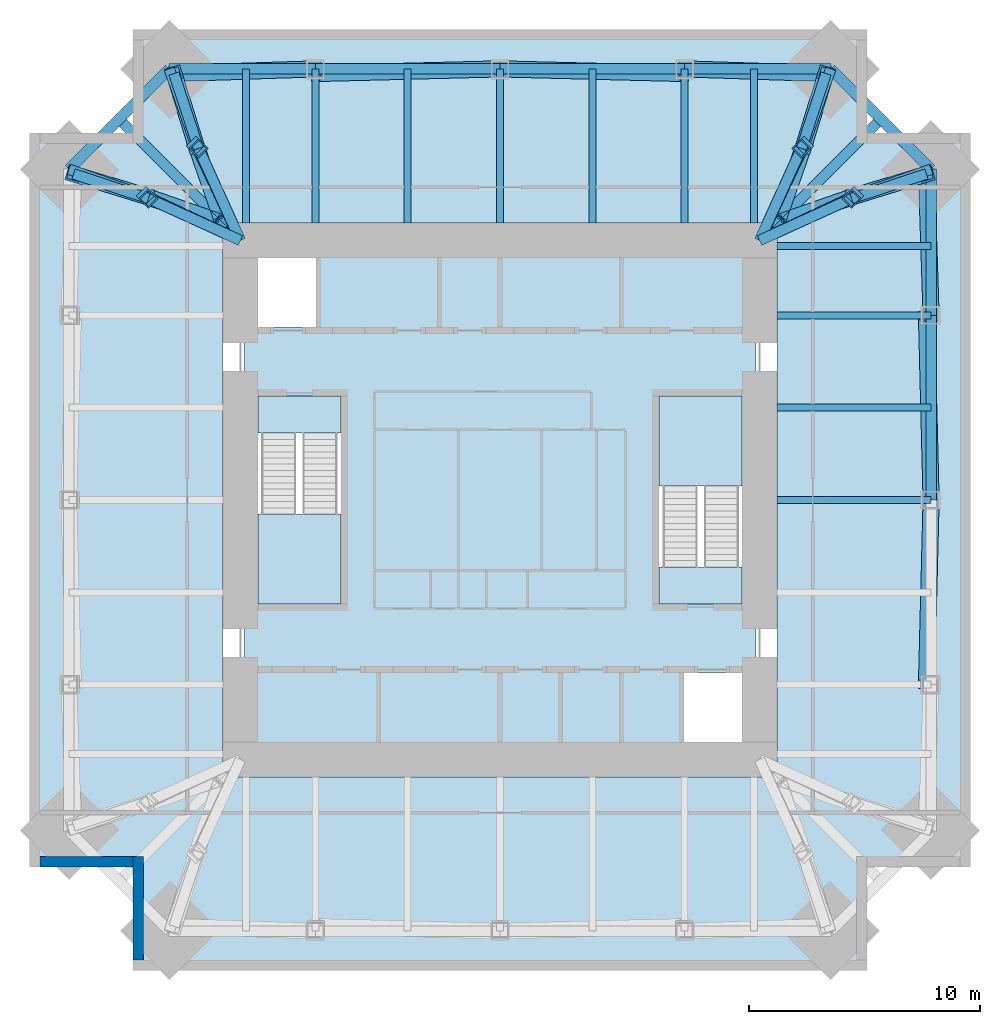
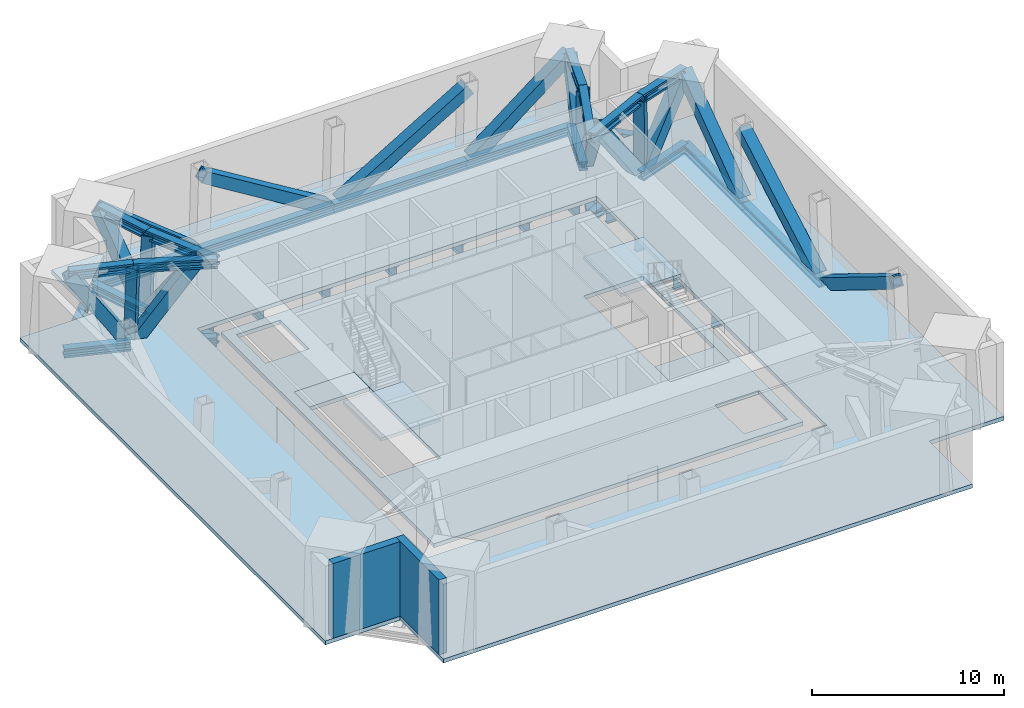
# One storey, part 2 of 6: 41 members, 15 beams, 6 slabs, 2 walls, 2 elements without a shape of their own.
"""IFC4 building model written with IfcOpenShell, lengths in metres."""

import ifcopenshell
import ifcopenshell.guid

model = None  # the IFC model being written
_history = None  # IfcOwnerHistory: only IFC2X3 demands one
_inside = {}  # id of a spatial element -> (the spatial element, [elements in it])
_under = {}  # id of a project, library or spatial element -> (it, [spatial elements below it])
_declared = {}  # id of a project -> (the project, [libraries it declares])
_typed = {}  # id of a type object -> (the type object, [elements of that type])
_made_of = {}  # id of a material, layer set ... -> (it, [elements and type objects made of it])


def new_model(schema):
    """Start an empty IFC model of exactly this schema.

    Asked for "IFC4X3", IfcOpenShell would pick the latest addendum, in which some entities
    have other attributes; the version numbers below select the first issue.
    IFC2X3 requires an IfcOwnerHistory on every rooted entity: one is made here for all.
    """
    global model, _history
    if schema == "IFC4X3":
        model = ifcopenshell.file(schema_version=(4, 3, 0, 0))
    else:
        model = ifcopenshell.file(schema=schema)
    _inside.clear()
    _under.clear()
    _declared.clear()
    _typed.clear()
    _made_of.clear()
    _history = None
    if model.schema == "IFC2X3":
        org = make("IfcOrganization", Name="unknown")
        user = make(
            "IfcPersonAndOrganization",
            ThePerson=make("IfcPerson", FamilyName="unknown"),
            TheOrganization=org,
        )
        app = make(
            "IfcApplication",
            ApplicationDeveloper=org,
            Version="unknown",
            ApplicationFullName="unknown",
            ApplicationIdentifier="unknown",
        )
        _history = make(
            "IfcOwnerHistory",
            OwningUser=user,
            OwningApplication=app,
            ChangeAction="ADDED",
            CreationDate=0,
        )
    return model


def make(cls, **values):
    """One entity of the class cls with the attributes given. An attribute that is None is left unset."""
    return model.create_entity(
        cls, **{name: value for name, value in values.items() if value is not None}
    )


def rooted(cls, **values):
    """An entity with a GlobalId (a new one), such as an element, a storey or a relation."""
    return make(cls, GlobalId=ifcopenshell.guid.new(), OwnerHistory=_history, **values)


def si_unit(unit_type, name, prefix=None):
    """IfcSIUnit, for example si_unit("LENGTHUNIT", "METRE", prefix="MILLI")."""
    return make("IfcSIUnit", UnitType=unit_type, Prefix=prefix, Name=name)


def assignment(units):
    """IfcUnitAssignment: the units of a project."""
    return None if units is None else make("IfcUnitAssignment", Units=units)


def point(xyz):
    """IfcCartesianPoint."""
    return None if xyz is None else make("IfcCartesianPoint", Coordinates=xyz)


def direction(xyz):
    """IfcDirection."""
    return None if xyz is None else make("IfcDirection", DirectionRatios=xyz)


def frame(location, z_axis=None, x_axis=None):
    """IfcAxis2Placement3D, a coordinate frame: its origin and axes. An axis left out is left unset."""
    return make(
        "IfcAxis2Placement3D",
        Location=point(location),
        Axis=direction(z_axis),
        RefDirection=direction(x_axis),
    )


def frame_2d(location, x_axis=None):
    """IfcAxis2Placement2D, a coordinate frame in the plane: its origin and x axis."""
    return make(
        "IfcAxis2Placement2D", Location=point(location), RefDirection=direction(x_axis)
    )


def origin():
    """The frame at (0, 0, 0) with its axes left unset."""
    return frame((0.0, 0.0, 0.0))


def origin_2d():
    """The frame at (0, 0) in the plane with its x axis left unset."""
    return frame_2d((0.0, 0.0))


def place(relative_to, where):
    """IfcLocalPlacement: puts the frame where relative to a parent placement (None: the world)."""
    return make(
        "IfcLocalPlacement", PlacementRelTo=relative_to, RelativePlacement=where
    )


def context(
    kind, dimensions, precision=None, world=None, true_north=None, identifier=None
):
    """IfcGeometricRepresentationContext, for example the 3D "Model" context."""
    return make(
        "IfcGeometricRepresentationContext",
        ContextIdentifier=identifier,
        ContextType=kind,
        CoordinateSpaceDimension=dimensions,
        Precision=precision,
        WorldCoordinateSystem=world,
        TrueNorth=true_north,
    )


def subcontext(parent, identifier, kind, view, scale=None):
    """IfcGeometricRepresentationSubContext, for example "Body" below "Model"."""
    return make(
        "IfcGeometricRepresentationSubContext",
        ContextIdentifier=identifier,
        ContextType=kind,
        ParentContext=parent,
        TargetScale=scale,
        TargetView=view,
    )


def project(units=None, contexts=None):
    """IfcProject with its units and contexts."""
    return rooted(
        "IfcProject",
        Name="project",
        RepresentationContexts=contexts,
        UnitsInContext=assignment(units),
    )


def spatial(cls, under=None, at=None, **own):
    """A site, building, storey or space (cls), placed at a placement, below another one or the project."""
    s = rooted(cls, ObjectPlacement=at, **own)
    if under is not None:
        _under.setdefault(under.id(), (under, []))[1].append(s)
    return s


def polyline(points):
    """IfcPolyline through the points."""
    return make("IfcPolyline", Points=[point(p) for p in points])


def profile(cls, at=None, kind="AREA", **sizes):
    """A parametric profile (cls). Its sizes go by their IFC names, for example OverallWidth=200.0."""
    return make(cls, ProfileType=kind, Position=at, **sizes)


def rectangle(**sizes):
    """IfcRectangleProfileDef."""
    return profile("IfcRectangleProfileDef", **sizes)


def hollow_rectangle(**sizes):
    """IfcRectangleHollowProfileDef."""
    return profile("IfcRectangleHollowProfileDef", **sizes)


def i_section(**sizes):
    """IfcIShapeProfileDef."""
    return profile("IfcIShapeProfileDef", **sizes)


def outline(outer, holes=None, kind="AREA"):
    """IfcArbitraryClosedProfileDef: a profile drawn as a closed curve; with holes, ...WithVoids."""
    if holes is None:
        return make("IfcArbitraryClosedProfileDef", ProfileType=kind, OuterCurve=outer)
    return make(
        "IfcArbitraryProfileDefWithVoids",
        ProfileType=kind,
        OuterCurve=outer,
        InnerCurves=holes,
    )


def extrude(swept, where, along, depth):
    """IfcExtrudedAreaSolid: the profile swept, set in the frame where, extruded along a direction by depth."""
    return make(
        "IfcExtrudedAreaSolid",
        SweptArea=swept,
        Position=where,
        ExtrudedDirection=direction(along),
        Depth=depth,
    )


def shape(context_of_items, identifier, shape_type, items):
    """IfcShapeRepresentation: the items that make up one representation, for example the "Body"."""
    return make(
        "IfcShapeRepresentation",
        ContextOfItems=context_of_items,
        RepresentationIdentifier=identifier,
        RepresentationType=shape_type,
        Items=items,
    )


def material(Name=None, Category=None):
    """IfcMaterial."""
    return make("IfcMaterial", Name=Name, Category=Category)


def layer(
    of_material, thickness, ventilated=None, Name=None, Category=None, Priority=None
):
    """IfcMaterialLayer: one layer of a wall or slab, of a material (None: an air gap)."""
    return make(
        "IfcMaterialLayer",
        Material=of_material,
        LayerThickness=thickness,
        IsVentilated=ventilated,
        Name=Name,
        Category=Category,
        Priority=Priority,
    )


def layer_set(layers, Name=None):
    """IfcMaterialLayerSet."""
    return make("IfcMaterialLayerSet", MaterialLayers=layers, LayerSetName=Name)


def material_profile(
    of_material, cross_section, Name=None, Category=None, Priority=None
):
    """IfcMaterialProfile: a cross section and its material."""
    return make(
        "IfcMaterialProfile",
        Name=Name,
        Material=of_material,
        Profile=cross_section,
        Priority=Priority,
        Category=Category,
    )


def profile_set(profiles, Name=None, composite=None):
    """IfcMaterialProfileSet."""
    return make(
        "IfcMaterialProfileSet",
        Name=Name,
        MaterialProfiles=profiles,
        CompositeProfile=composite,
    )


def made_of(thing, what):
    """Note that an element or type object is made of a material, layer set ...; save() writes the relation."""
    if what is not None:
        _made_of.setdefault(what.id(), (what, []))[1].append(thing)
    return thing


def type_object(cls, material=None, **own):
    """A type object (cls), such as IfcWallType, which elements share."""
    return made_of(rooted(cls, **own), material)


def element(
    cls,
    number,
    at=None,
    inside=None,
    cuts=None,
    type_object=None,
    material=None,
    context=None,
    identifier="Body",
    shape_type=None,
    held_by="IfcProductDefinitionShape",
    body=None,
    shapes=None,
    **own,
):
    """One element of the class cls, such as IfcWall. Its Tag is "e" and its number.

    at: its placement. inside: the storey or other place that contains it. cuts: it is an
    opening in that element (IfcRelVoidsElement). A single representation is given by context,
    identifier, shape_type and body (its items); several are given by shapes. held_by: the class
    of the entity that holds the representations. save() writes the other relations.
    """
    e = rooted(cls, Tag="e%d" % number, ObjectPlacement=at, **own)
    if body is not None:
        shapes = [shape(context, identifier, shape_type, body)]
    if shapes is not None:
        e.Representation = make(held_by, Representations=shapes)
    if inside is not None:
        _inside.setdefault(inside.id(), (inside, []))[1].append(e)
    if cuts is not None:
        rooted(
            "IfcRelVoidsElement", RelatingBuildingElement=cuts, RelatedOpeningElement=e
        )
    if type_object is not None:
        _typed.setdefault(type_object.id(), (type_object, []))[1].append(e)
    return made_of(e, material)


def aggregate(whole, parts):
    """IfcRelAggregates: a whole, such as a stair, and the parts it consists of."""
    return rooted("IfcRelAggregates", RelatingObject=whole, RelatedObjects=parts)


def save(model, path):
    """Write the relations noted so far, then the file.

    IfcRelAggregates (storeys below a building ...), IfcRelContainedInSpatialStructure (elements
    in a storey), IfcRelDefinesByType, IfcRelAssociatesMaterial and IfcRelDeclares: one each for
    every whole, place, type object, material and project.
    """
    for whole, parts in _under.values():
        aggregate(whole, parts)
    for where, things in _inside.values():
        rooted(
            "IfcRelContainedInSpatialStructure",
            RelatedElements=things,
            RelatingStructure=where,
        )
    for kind, things in _typed.values():
        rooted("IfcRelDefinesByType", RelatedObjects=things, RelatingType=kind)
    for what, things in _made_of.values():
        rooted("IfcRelAssociatesMaterial", RelatedObjects=things, RelatingMaterial=what)
    for by, libraries in _declared.values():
        rooted("IfcRelDeclares", RelatingContext=by, RelatedDefinitions=libraries)
    model.write(path)


model = new_model("IFC4")

# Units and contexts
model_context = context("Model", 3, precision=1e-05, world=origin(), true_north=direction((0.0, 1.0)))
body_context = subcontext(model_context, "Body", "Model", "MODEL_VIEW")
ifc_project = project(units=[si_unit("LENGTHUNIT", "METRE"), si_unit("AREAUNIT", "SQUARE_METRE"), si_unit("VOLUMEUNIT", "CUBIC_METRE"), si_unit("PLANEANGLEUNIT", "RADIAN"), si_unit("MASSUNIT", "GRAM", prefix="KILO")], contexts=[model_context])

# Site, building, storey
site_placement = place(None, origin())
site = spatial("IfcSite", under=ifc_project, at=site_placement, CompositionType="ELEMENT")
building_placement = place(site_placement, origin())
building = spatial("IfcBuilding", under=site, at=building_placement, Name="Peilmerk Tower", CompositionType="ELEMENT")
storey_placement = place(building_placement, frame((0.0, 0.0, 302.800048828125)))
storey = spatial("IfcBuildingStorey", under=building, at=storey_placement, Name="L68", CompositionType="ELEMENT", Elevation=302.800048828125)

# Beams
ifc_material_1 = material(Name="Steel S460", Category="steel")
ifc_material_profile_1 = material_profile(ifc_material_1, i_section(OverallWidth=0.4541015625, OverallDepth=0.569091796875, WebThickness=0.077880859375, FlangeThickness=0.125, at=origin_2d()), Name="HD 400x1086")
ifc_profile_set_1 = profile_set([ifc_material_profile_1], Name="Steel S460")
beam_type_1 = type_object("IfcBeamType", Name="B17 HD 400x1086 edge beam", PredefinedType="SPANDREL", material=ifc_profile_set_1)
for number, where, z_axis, x_axis, name in (
    (1, (14.337158203125, 18.68701171875, -0.53466796875), (0.707106781187, -0.707106781187, 0.0), (0.707106781187, 0.707106781187, 0.0), "Notch beam L68"),
    (2, (-18.68701171875, 14.337158203125, -0.53466796875), (0.707106781187, 0.707106781187, 0.0), (-0.707106781187, 0.707106781187, 0.0), "Notch beam L68"),
):
    element("IfcBeam", number, at=place(storey_placement, frame(where, z_axis=z_axis, x_axis=x_axis)), inside=storey, type_object=beam_type_1, Name=name, PredefinedType="SPANDREL", context=body_context, shape_type="SweptSolid", body=[
        extrude(i_section(OverallWidth=0.4541015625, OverallDepth=0.569091796875, WebThickness=0.077880859375, FlangeThickness=0.125, at=origin_2d()), origin(), (0.0, 0.0, 1.0), 6.151611328125),
    ])
ifc_material_profile_2 = material_profile(ifc_material_1, i_section(OverallWidth=0.302978515625, OverallDepth=0.81396484375, WebThickness=0.02099609375, FlangeThickness=0.0400390625, at=origin_2d()), Name="HEM 800")
ifc_profile_set_2 = profile_set([ifc_material_profile_2], Name="Steel S460")
beam_type_2 = type_object("IfcBeamType", Name="B26 HEM 800 floor beam", PredefinedType="BEAM", material=ifc_profile_set_2)
for number, where, z_axis, x_axis, name in (
    (3, (11.0, 12.0, -0.656982421875), (0.0, 1.0, 0.0), (-1.0, 0.0, 0.0), "Floor beam L68"),
    (4, (8.0, 12.0, -0.656982421875), (0.0, 1.0, 0.0), (-1.0, 0.0, 0.0), "Floor beam L68"),
    (5, (4.0, 12.0, -0.656982421875), (0.0, 1.0, 0.0), (-1.0, 0.0, 0.0), "Floor beam L68"),
    (6, (0.0, 12.0, -0.656982421875), (0.0, 1.0, 0.0), (-1.0, 0.0, 0.0), "Floor beam L68"),
    (7, (-4.0, 12.0, -0.656982421875), (0.0, 1.0, 0.0), (-1.0, 0.0, 0.0), "Floor beam L68"),
    (8, (-8.0, 12.0, -0.656982421875), (0.0, 1.0, 0.0), (-1.0, 0.0, 0.0), "Floor beam L68"),
    (9, (-11.0, 12.0, -0.656982421875), (0.0, 1.0, 0.0), (-1.0, 0.0, 0.0), "Floor beam L68"),
    (10, (12.0, 0.0, -0.656982421875), (1.0, 0.0, 0.0), (0.0, 1.0, 0.0), "Floor beam L68"),
    (11, (12.0, 4.0, -0.656982421875), (1.0, 0.0, 0.0), (0.0, 1.0, 0.0), "Floor beam L68"),
    (12, (12.0, 8.0, -0.656982421875), (1.0, 0.0, 0.0), (0.0, 1.0, 0.0), "Floor beam L68"),
    (13, (12.0, 11.0, -0.656982421875), (1.0, 0.0, 0.0), (0.0, 1.0, 0.0), "Floor beam L68"),
):
    element("IfcBeam", number, at=place(storey_placement, frame(where, z_axis=z_axis, x_axis=x_axis)), inside=storey, type_object=beam_type_2, Name=name, PredefinedType="BEAM", context=body_context, shape_type="SweptSolid", body=[
        extrude(i_section(OverallWidth=0.302978515625, OverallDepth=0.81396484375, WebThickness=0.02099609375, FlangeThickness=0.0400390625, at=origin_2d()), origin(), (0.0, 0.0, 1.0), 6.68701171875),
    ])
ifc_material_profile_3 = material_profile(ifc_material_1, i_section(OverallWidth=0.4541015625, OverallDepth=0.569091796875, WebThickness=0.077880859375, FlangeThickness=0.125, at=origin_2d()), Name="HD 400x1086")
ifc_profile_set_3 = profile_set([ifc_material_profile_3], Name="Steel S460")
beam_type_3 = type_object("IfcBeamType", Name="B9 HD 400x1086 corner girder", PredefinedType="BEAM", material=ifc_profile_set_3)
for number, where, z_axis, x_axis, name in (
    (14, (11.25, 11.25, -0.53466796875), (0.707106781187, 0.707106781187, 0.0), (-0.707106781187, 0.707106781187, 0.0), "Corner girder L68"),
    (15, (-11.25, 11.25, -0.53466796875), (-0.707106781187, 0.707106781187, 0.0), (-0.707106781187, -0.707106781187, 0.0), "Corner girder L68"),
):
    element("IfcBeam", number, at=place(storey_placement, frame(where, z_axis=z_axis, x_axis=x_axis)), inside=storey, type_object=beam_type_3, Name=name, PredefinedType="BEAM", context=body_context, shape_type="SweptSolid", body=[
        extrude(i_section(OverallWidth=0.4541015625, OverallDepth=0.569091796875, WebThickness=0.077880859375, FlangeThickness=0.125, at=origin_2d()), origin(), (0.0, 0.0, 1.0), 7.44189453125),
    ])

# Members
ifc_material_profile_4 = material_profile(ifc_material_1, i_section(OverallWidth=0.4541015625, OverallDepth=0.569091796875, WebThickness=0.077880859375, FlangeThickness=0.125, at=origin_2d()), Name="HD 400x1086")
ifc_profile_set_4 = profile_set([ifc_material_profile_4], Name="Steel S460")
member_type_1 = type_object("IfcMemberType", Name="M1 HD 400x1086 belt truss chord", PredefinedType="CHORD", material=ifc_profile_set_4)
member_1_placement = place(storey_placement, frame((14.337158203125, 18.68701171875, -0.53466796875), z_axis=(-1.0, 0.0, 0.0), x_axis=(0.0, -1.0, 0.0)))
element("IfcMember", 16, at=member_1_placement, inside=storey, type_object=member_type_1, Name="Belt truss chord L68", PredefinedType="CHORD", context=body_context, shape_type="SweptSolid", body=[
    extrude(i_section(OverallWidth=0.4541015625, OverallDepth=0.569091796875, WebThickness=0.077880859375, FlangeThickness=0.125, at=origin_2d()), origin(), (0.0, 0.0, 1.0), 6.337158203125),
])
for number, where, z_axis, x_axis, name in (
    (17, (8.0, 18.68701171875, -0.53466796875), (-1.0, 0.0, 0.0), (0.0, -1.0, 0.0), "Belt truss chord L68"),
    (18, (0.0, 18.68701171875, -0.53466796875), (-1.0, 0.0, 0.0), (0.0, -1.0, 0.0), "Belt truss chord L68"),
):
    element("IfcMember", number, at=place(storey_placement, frame(where, z_axis=z_axis, x_axis=x_axis)), inside=storey, type_object=member_type_1, Name=name, PredefinedType="CHORD", context=body_context, shape_type="SweptSolid", body=[
        extrude(i_section(OverallWidth=0.4541015625, OverallDepth=0.569091796875, WebThickness=0.077880859375, FlangeThickness=0.125, at=origin_2d()), origin(), (0.0, 0.0, 1.0), 8.0),
    ])
member_2_placement = place(storey_placement, frame((-8.0, 18.68701171875, -0.53466796875), z_axis=(-1.0, 0.0, 0.0), x_axis=(0.0, -1.0, 0.0)))
element("IfcMember", 19, at=member_2_placement, inside=storey, type_object=member_type_1, Name="Belt truss chord L68", PredefinedType="CHORD", context=body_context, shape_type="SweptSolid", body=[
    extrude(i_section(OverallWidth=0.4541015625, OverallDepth=0.569091796875, WebThickness=0.077880859375, FlangeThickness=0.125, at=origin_2d()), origin(), (0.0, 0.0, 1.0), 6.337158203125),
])
member_3_placement = place(storey_placement, frame((18.68701171875, 0.0, -0.53466796875), z_axis=(0.0, 1.0, 0.0), x_axis=(-1.0, 0.0, 0.0)))
element("IfcMember", 20, at=member_3_placement, inside=storey, type_object=member_type_1, Name="Belt truss chord L68", PredefinedType="CHORD", context=body_context, shape_type="SweptSolid", body=[
    extrude(i_section(OverallWidth=0.4541015625, OverallDepth=0.569091796875, WebThickness=0.077880859375, FlangeThickness=0.125, at=origin_2d()), origin(), (0.0, 0.0, 1.0), 8.0),
])
member_4_placement = place(storey_placement, frame((18.68701171875, 8.0, -0.53466796875), z_axis=(0.0, 1.0, 0.0), x_axis=(-1.0, 0.0, 0.0)))
element("IfcMember", 21, at=member_4_placement, inside=storey, type_object=member_type_1, Name="Belt truss chord L68", PredefinedType="CHORD", context=body_context, shape_type="SweptSolid", body=[
    extrude(i_section(OverallWidth=0.4541015625, OverallDepth=0.569091796875, WebThickness=0.077880859375, FlangeThickness=0.125, at=origin_2d()), origin(), (0.0, 0.0, 1.0), 6.337158203125),
])
member_5_placement = place(storey_placement, frame((11.25, 11.25, -0.53466796875), z_axis=(0.905490713395, 0.424366077763, 0.0), x_axis=(-0.424366077763, 0.905490713395, 0.0)))
element("IfcMember", 22, at=member_5_placement, inside=storey, type_object=member_type_1, Name="Outrigger chord T3 NE", PredefinedType="CHORD", context=body_context, shape_type="SweptSolid", body=[
    extrude(i_section(OverallWidth=0.4541015625, OverallDepth=0.569091796875, WebThickness=0.077880859375, FlangeThickness=0.125, at=origin_2d()), origin(), (0.0, 0.0, 1.0), 4.520751953125),
])
member_6_placement = place(storey_placement, frame((15.343505859375, 13.16845703125, -0.53466796875), z_axis=(0.943992606868, 0.329966601612, 0.0), x_axis=(-0.329966601612, 0.943992606868, 0.0)))
element("IfcMember", 23, at=member_6_placement, inside=storey, type_object=member_type_1, Name="Outrigger chord T3 NE", PredefinedType="CHORD", context=body_context, shape_type="SweptSolid", body=[
    extrude(i_section(OverallWidth=0.4541015625, OverallDepth=0.569091796875, WebThickness=0.077880859375, FlangeThickness=0.125, at=origin_2d()), origin(), (0.0, 0.0, 1.0), 3.5419921875),
])
member_7_placement = place(storey_placement, frame((11.25, 11.25, 4.46533203125), z_axis=(0.910128091523, 0.41432699287, 0.0), x_axis=(-0.41432699287, 0.910128091523, 0.0)))
element("IfcMember", 24, at=member_7_placement, inside=storey, type_object=member_type_1, Name="Outrigger chord T3 NE", PredefinedType="CHORD", context=body_context, shape_type="SweptSolid", body=[
    extrude(i_section(OverallWidth=0.4541015625, OverallDepth=0.569091796875, WebThickness=0.077880859375, FlangeThickness=0.125, at=origin_2d()), origin(), (0.0, 0.0, 1.0), 4.386962890625),
])
member_8_placement = place(storey_placement, frame((15.24267578125, 13.067626953125, 4.46533203125), z_axis=(0.949828274729, 0.31277187937, 0.0), x_axis=(-0.31277187937, 0.949828274729, 0.0)))
element("IfcMember", 25, at=member_8_placement, inside=storey, type_object=member_type_1, Name="Outrigger chord T3 NE", PredefinedType="CHORD", context=body_context, shape_type="SweptSolid", body=[
    extrude(i_section(OverallWidth=0.4541015625, OverallDepth=0.569091796875, WebThickness=0.077880859375, FlangeThickness=0.125, at=origin_2d()), origin(), (0.0, 0.0, 1.0), 3.414306640625),
])
member_9_placement = place(storey_placement, frame((11.25, 11.25, -0.53466796875), z_axis=(0.424366077763, 0.905490713395, 0.0), x_axis=(-0.905490713395, 0.424366077763, 0.0)))
element("IfcMember", 26, at=member_9_placement, inside=storey, type_object=member_type_1, Name="Outrigger chord T3 NE", PredefinedType="CHORD", context=body_context, shape_type="SweptSolid", body=[
    extrude(i_section(OverallWidth=0.4541015625, OverallDepth=0.569091796875, WebThickness=0.077880859375, FlangeThickness=0.125, at=origin_2d()), origin(), (0.0, 0.0, 1.0), 4.520751953125),
])
member_10_placement = place(storey_placement, frame((13.16845703125, 15.343505859375, -0.53466796875), z_axis=(0.329966601612, 0.943992606868, 0.0), x_axis=(-0.943992606868, 0.329966601612, 0.0)))
element("IfcMember", 27, at=member_10_placement, inside=storey, type_object=member_type_1, Name="Outrigger chord T3 NE", PredefinedType="CHORD", context=body_context, shape_type="SweptSolid", body=[
    extrude(i_section(OverallWidth=0.4541015625, OverallDepth=0.569091796875, WebThickness=0.077880859375, FlangeThickness=0.125, at=origin_2d()), origin(), (0.0, 0.0, 1.0), 3.5419921875),
])
member_11_placement = place(storey_placement, frame((11.25, 11.25, 4.46533203125), z_axis=(0.41432699287, 0.910128091523, 0.0), x_axis=(-0.910128091523, 0.41432699287, 0.0)))
element("IfcMember", 28, at=member_11_placement, inside=storey, type_object=member_type_1, Name="Outrigger chord T3 NE", PredefinedType="CHORD", context=body_context, shape_type="SweptSolid", body=[
    extrude(i_section(OverallWidth=0.4541015625, OverallDepth=0.569091796875, WebThickness=0.077880859375, FlangeThickness=0.125, at=origin_2d()), origin(), (0.0, 0.0, 1.0), 4.386962890625),
])
member_12_placement = place(storey_placement, frame((13.067626953125, 15.24267578125, 4.46533203125), z_axis=(0.31277187937, 0.949828274729, 0.0), x_axis=(-0.949828274729, 0.31277187937, 0.0)))
element("IfcMember", 29, at=member_12_placement, inside=storey, type_object=member_type_1, Name="Outrigger chord T3 NE", PredefinedType="CHORD", context=body_context, shape_type="SweptSolid", body=[
    extrude(i_section(OverallWidth=0.4541015625, OverallDepth=0.569091796875, WebThickness=0.077880859375, FlangeThickness=0.125, at=origin_2d()), origin(), (0.0, 0.0, 1.0), 3.414306640625),
])
member_13_placement = place(storey_placement, frame((-11.25, 11.25, -0.53466796875), z_axis=(-0.424366077763, 0.905490713395, 0.0), x_axis=(-0.905490713395, -0.424366077763, 0.0)))
element("IfcMember", 30, at=member_13_placement, inside=storey, type_object=member_type_1, Name="Outrigger chord T3 NW", PredefinedType="CHORD", context=body_context, shape_type="SweptSolid", body=[
    extrude(i_section(OverallWidth=0.4541015625, OverallDepth=0.569091796875, WebThickness=0.077880859375, FlangeThickness=0.125, at=origin_2d()), origin(), (0.0, 0.0, 1.0), 4.520751953125),
])
member_14_placement = place(storey_placement, frame((-13.16845703125, 15.343505859375, -0.53466796875), z_axis=(-0.329966601612, 0.943992606868, 0.0), x_axis=(-0.943992606868, -0.329966601612, 0.0)))
element("IfcMember", 31, at=member_14_placement, inside=storey, type_object=member_type_1, Name="Outrigger chord T3 NW", PredefinedType="CHORD", context=body_context, shape_type="SweptSolid", body=[
    extrude(i_section(OverallWidth=0.4541015625, OverallDepth=0.569091796875, WebThickness=0.077880859375, FlangeThickness=0.125, at=origin_2d()), origin(), (0.0, 0.0, 1.0), 3.5419921875),
])
member_15_placement = place(storey_placement, frame((-11.25, 11.25, 4.46533203125), z_axis=(-0.41432699287, 0.910128091523, 0.0), x_axis=(-0.910128091523, -0.41432699287, 0.0)))
element("IfcMember", 32, at=member_15_placement, inside=storey, type_object=member_type_1, Name="Outrigger chord T3 NW", PredefinedType="CHORD", context=body_context, shape_type="SweptSolid", body=[
    extrude(i_section(OverallWidth=0.4541015625, OverallDepth=0.569091796875, WebThickness=0.077880859375, FlangeThickness=0.125, at=origin_2d()), origin(), (0.0, 0.0, 1.0), 4.386962890625),
])
member_16_placement = place(storey_placement, frame((-13.067626953125, 15.24267578125, 4.46533203125), z_axis=(-0.31277187937, 0.949828274729, 0.0), x_axis=(-0.949828274729, -0.31277187937, 0.0)))
element("IfcMember", 33, at=member_16_placement, inside=storey, type_object=member_type_1, Name="Outrigger chord T3 NW", PredefinedType="CHORD", context=body_context, shape_type="SweptSolid", body=[
    extrude(i_section(OverallWidth=0.4541015625, OverallDepth=0.569091796875, WebThickness=0.077880859375, FlangeThickness=0.125, at=origin_2d()), origin(), (0.0, 0.0, 1.0), 3.414306640625),
])
member_17_placement = place(storey_placement, frame((-11.25, 11.25, -0.53466796875), z_axis=(-0.905490713395, 0.424366077763, 0.0), x_axis=(-0.424366077763, -0.905490713395, 0.0)))
element("IfcMember", 34, at=member_17_placement, inside=storey, type_object=member_type_1, Name="Outrigger chord T3 NW", PredefinedType="CHORD", context=body_context, shape_type="SweptSolid", body=[
    extrude(i_section(OverallWidth=0.4541015625, OverallDepth=0.569091796875, WebThickness=0.077880859375, FlangeThickness=0.125, at=origin_2d()), origin(), (0.0, 0.0, 1.0), 4.520751953125),
])
member_18_placement = place(storey_placement, frame((-15.343505859375, 13.16845703125, -0.53466796875), z_axis=(-0.943992606868, 0.329966601612, 0.0), x_axis=(-0.329966601612, -0.943992606868, 0.0)))
element("IfcMember", 35, at=member_18_placement, inside=storey, type_object=member_type_1, Name="Outrigger chord T3 NW", PredefinedType="CHORD", context=body_context, shape_type="SweptSolid", body=[
    extrude(i_section(OverallWidth=0.4541015625, OverallDepth=0.569091796875, WebThickness=0.077880859375, FlangeThickness=0.125, at=origin_2d()), origin(), (0.0, 0.0, 1.0), 3.5419921875),
])
member_19_placement = place(storey_placement, frame((-11.25, 11.25, 4.46533203125), z_axis=(-0.910128091523, 0.41432699287, 0.0), x_axis=(-0.41432699287, -0.910128091523, 0.0)))
element("IfcMember", 36, at=member_19_placement, inside=storey, type_object=member_type_1, Name="Outrigger chord T3 NW", PredefinedType="CHORD", context=body_context, shape_type="SweptSolid", body=[
    extrude(i_section(OverallWidth=0.4541015625, OverallDepth=0.569091796875, WebThickness=0.077880859375, FlangeThickness=0.125, at=origin_2d()), origin(), (0.0, 0.0, 1.0), 4.386962890625),
])
member_20_placement = place(storey_placement, frame((-15.24267578125, 13.067626953125, 4.46533203125), z_axis=(-0.949828274729, 0.31277187937, 0.0), x_axis=(-0.31277187937, -0.949828274729, 0.0)))
element("IfcMember", 37, at=member_20_placement, inside=storey, type_object=member_type_1, Name="Outrigger chord T3 NW", PredefinedType="CHORD", context=body_context, shape_type="SweptSolid", body=[
    extrude(i_section(OverallWidth=0.4541015625, OverallDepth=0.569091796875, WebThickness=0.077880859375, FlangeThickness=0.125, at=origin_2d()), origin(), (0.0, 0.0, 1.0), 3.414306640625),
])
ifc_material_profile_5 = material_profile(ifc_material_1, hollow_rectangle(XDim=0.60009765625, YDim=0.60009765625, WallThickness=0.06005859375, at=origin_2d()), Name="BOX 600x600x60")
ifc_profile_set_5 = profile_set([ifc_material_profile_5], Name="Steel S460")
member_type_2 = type_object("IfcMemberType", Name="M3 BOX 600x600x60 outrigger post", PredefinedType="POST", material=ifc_profile_set_5)
for number, where, z_axis, x_axis, name in (
    (38, (15.343505859375, 13.16845703125, -0.53466796875), (-0.020157819747, -0.020157819747, 0.999593579714), (0.707106781187, -0.707106781187, 0.0), "Outrigger post T3 NE"),
    (39, (13.16845703125, 15.343505859375, -0.53466796875), (-0.020157819747, -0.020157819747, 0.999593579714), (0.707106781187, -0.707106781187, 0.0), "Outrigger post T3 NE"),
    (40, (-13.16845703125, 15.343505859375, -0.53466796875), (0.020157819747, -0.020157819747, 0.999593579714), (0.707106781187, 0.707106781187, 0.0), "Outrigger post T3 NW"),
    (41, (-15.343505859375, 13.16845703125, -0.53466796875), (0.020157819747, -0.020157819747, 0.999593579714), (0.707106781187, 0.707106781187, 0.0), "Outrigger post T3 NW"),
):
    element("IfcMember", number, at=place(storey_placement, frame(where, z_axis=z_axis, x_axis=x_axis)), inside=storey, type_object=member_type_2, Name=name, PredefinedType="POST", context=body_context, shape_type="SweptSolid", body=[
        extrude(hollow_rectangle(XDim=0.60009765625, YDim=0.60009765625, WallThickness=0.06005859375, at=origin_2d()), origin(), (0.0, 0.0, 1.0), 5.001953125),
    ])
ifc_material_profile_6 = material_profile(ifc_material_1, hollow_rectangle(XDim=0.699951171875, YDim=0.699951171875, WallThickness=0.080078125, at=origin_2d()), Name="BOX 700x700x80")
ifc_profile_set_6 = profile_set([ifc_material_profile_6], Name="Steel S460")
member_type_3 = type_object("IfcMemberType", Name="M4 BOX 700x700x80 outrigger diagonal", PredefinedType="BRACE", material=ifc_profile_set_6)
member_21_placement = place(storey_placement, frame((8.0, 18.68701171875, -0.53466796875), z_axis=(0.774940461859, -0.025439731051, 0.631522050809), x_axis=(0.032810306692, 0.999461596948, 0.0)))
element("IfcMember", 42, at=member_21_placement, inside=storey, type_object=member_type_3, Name="Belt truss diagonal T3 N", PredefinedType="BRACE", context=body_context, shape_type="SweptSolid", body=[
    extrude(hollow_rectangle(XDim=0.699951171875, YDim=0.699951171875, WallThickness=0.080078125, at=origin_2d()), origin(), (0.0, 0.0, 1.0), 7.91748046875),
])
for number, where, z_axis, x_axis, name in (
    (43, (0.0, 18.68701171875, -0.53466796875), (0.847805100704, -0.021345190676, 0.52987818794), (0.025169026128, 0.999683209884, 0.0), "Belt truss diagonal T3 N"),
    (44, (0.0, 18.68701171875, -0.53466796875), (-0.847805100704, -0.021345190676, 0.52987818794), (0.025169026128, -0.999683209884, 0.0), "Belt truss diagonal T3 N"),
):
    element("IfcMember", number, at=place(storey_placement, frame(where, z_axis=z_axis, x_axis=x_axis)), inside=storey, type_object=member_type_3, Name=name, PredefinedType="BRACE", context=body_context, shape_type="SweptSolid", body=[
        extrude(hollow_rectangle(XDim=0.699951171875, YDim=0.699951171875, WallThickness=0.080078125, at=origin_2d()), origin(), (0.0, 0.0, 1.0), 9.43603515625),
    ])
member_22_placement = place(storey_placement, frame((-8.0, 18.68701171875, -0.53466796875), z_axis=(-0.774940461859, -0.025439731051, 0.631522050809), x_axis=(0.032810306692, -0.999461596948, 0.0)))
element("IfcMember", 45, at=member_22_placement, inside=storey, type_object=member_type_3, Name="Belt truss diagonal T3 N", PredefinedType="BRACE", context=body_context, shape_type="SweptSolid", body=[
    extrude(hollow_rectangle(XDim=0.699951171875, YDim=0.699951171875, WallThickness=0.080078125, at=origin_2d()), origin(), (0.0, 0.0, 1.0), 7.91748046875),
])
for number, where, z_axis, x_axis, name in (
    (46, (18.68701171875, 0.0, -0.53466796875), (-0.021345190676, -0.847805100704, 0.52987818794), (0.999683209884, -0.025169026128, 0.0), "Belt truss diagonal T3 E"),
    (47, (18.68701171875, 0.0, -0.53466796875), (-0.021345190676, 0.847805100704, 0.52987818794), (-0.999683209884, -0.025169026128, 0.0), "Belt truss diagonal T3 E"),
):
    element("IfcMember", number, at=place(storey_placement, frame(where, z_axis=z_axis, x_axis=x_axis)), inside=storey, type_object=member_type_3, Name=name, PredefinedType="BRACE", context=body_context, shape_type="SweptSolid", body=[
        extrude(hollow_rectangle(XDim=0.699951171875, YDim=0.699951171875, WallThickness=0.080078125, at=origin_2d()), origin(), (0.0, 0.0, 1.0), 9.43603515625),
    ])
member_23_placement = place(storey_placement, frame((18.68701171875, 8.0, -0.53466796875), z_axis=(-0.025439731051, 0.774940461859, 0.631522050809), x_axis=(-0.999461596948, -0.032810306692, 0.0)))
element("IfcMember", 48, at=member_23_placement, inside=storey, type_object=member_type_3, Name="Belt truss diagonal T3 E", PredefinedType="BRACE", context=body_context, shape_type="SweptSolid", body=[
    extrude(hollow_rectangle(XDim=0.699951171875, YDim=0.699951171875, WallThickness=0.080078125, at=origin_2d()), origin(), (0.0, 0.0, 1.0), 7.91748046875),
])
member_24_placement = place(storey_placement, frame((15.343505859375, 13.16845703125, -0.53466796875), z_axis=(-0.545669837476, -0.190695570804, 0.816014477656), x_axis=(0.329905174718, -0.944014076004, 0.0)))
element("IfcMember", 49, at=member_24_placement, inside=storey, type_object=member_type_3, Name="Outrigger diagonal T3", PredefinedType="BRACE", context=body_context, shape_type="SweptSolid", body=[
    extrude(hollow_rectangle(XDim=0.699951171875, YDim=0.699951171875, WallThickness=0.080078125, at=origin_2d()), origin(), (0.0, 0.0, 1.0), 6.12744140625),
])
member_25_placement = place(storey_placement, frame((15.343505859375, 13.16845703125, -0.53466796875), z_axis=(0.525084491716, 0.161605258095, 0.835565686895), x_axis=(-0.294153687877, 0.955758132536, 0.0)))
element("IfcMember", 50, at=member_25_placement, inside=storey, type_object=member_type_3, Name="Outrigger diagonal T3", PredefinedType="BRACE", context=body_context, shape_type="SweptSolid", body=[
    extrude(hollow_rectangle(XDim=0.699951171875, YDim=0.699951171875, WallThickness=0.080078125, at=origin_2d()), origin(), (0.0, 0.0, 1.0), 5.98388671875),
])
member_26_placement = place(storey_placement, frame((13.16845703125, 15.343505859375, -0.53466796875), z_axis=(-0.190695570804, -0.545669837476, 0.816014477656), x_axis=(0.944014076004, -0.329905174718, 0.0)))
element("IfcMember", 51, at=member_26_placement, inside=storey, type_object=member_type_3, Name="Outrigger diagonal T3", PredefinedType="BRACE", context=body_context, shape_type="SweptSolid", body=[
    extrude(hollow_rectangle(XDim=0.699951171875, YDim=0.699951171875, WallThickness=0.080078125, at=origin_2d()), origin(), (0.0, 0.0, 1.0), 6.12744140625),
])
member_27_placement = place(storey_placement, frame((13.16845703125, 15.343505859375, -0.53466796875), z_axis=(0.161605258095, 0.525084491716, 0.835565686895), x_axis=(-0.955758132536, 0.294153687877, 0.0)))
element("IfcMember", 52, at=member_27_placement, inside=storey, type_object=member_type_3, Name="Outrigger diagonal T3", PredefinedType="BRACE", context=body_context, shape_type="SweptSolid", body=[
    extrude(hollow_rectangle(XDim=0.699951171875, YDim=0.699951171875, WallThickness=0.080078125, at=origin_2d()), origin(), (0.0, 0.0, 1.0), 5.98388671875),
])
member_28_placement = place(storey_placement, frame((-13.16845703125, 15.343505859375, -0.53466796875), z_axis=(0.190695570804, -0.545669837476, 0.816014477656), x_axis=(0.944014076004, 0.329905174718, 0.0)))
element("IfcMember", 53, at=member_28_placement, inside=storey, type_object=member_type_3, Name="Outrigger diagonal T3", PredefinedType="BRACE", context=body_context, shape_type="SweptSolid", body=[
    extrude(hollow_rectangle(XDim=0.699951171875, YDim=0.699951171875, WallThickness=0.080078125, at=origin_2d()), origin(), (0.0, 0.0, 1.0), 6.12744140625),
])
member_29_placement = place(storey_placement, frame((-13.16845703125, 15.343505859375, -0.53466796875), z_axis=(-0.161605258095, 0.525084491716, 0.835565686895), x_axis=(-0.955758132536, -0.294153687877, 0.0)))
element("IfcMember", 54, at=member_29_placement, inside=storey, type_object=member_type_3, Name="Outrigger diagonal T3", PredefinedType="BRACE", context=body_context, shape_type="SweptSolid", body=[
    extrude(hollow_rectangle(XDim=0.699951171875, YDim=0.699951171875, WallThickness=0.080078125, at=origin_2d()), origin(), (0.0, 0.0, 1.0), 5.98388671875),
])
member_30_placement = place(storey_placement, frame((-15.343505859375, 13.16845703125, -0.53466796875), z_axis=(0.545669837476, -0.190695570804, 0.816014477656), x_axis=(0.329905174718, 0.944014076004, 0.0)))
element("IfcMember", 55, at=member_30_placement, inside=storey, type_object=member_type_3, Name="Outrigger diagonal T3", PredefinedType="BRACE", context=body_context, shape_type="SweptSolid", body=[
    extrude(hollow_rectangle(XDim=0.699951171875, YDim=0.699951171875, WallThickness=0.080078125, at=origin_2d()), origin(), (0.0, 0.0, 1.0), 6.12744140625),
])
member_31_placement = place(storey_placement, frame((-15.343505859375, 13.16845703125, -0.53466796875), z_axis=(-0.525084491716, 0.161605258095, 0.835565686895), x_axis=(-0.294153687877, -0.955758132536, 0.0)))
element("IfcMember", 56, at=member_31_placement, inside=storey, type_object=member_type_3, Name="Outrigger diagonal T3", PredefinedType="BRACE", context=body_context, shape_type="SweptSolid", body=[
    extrude(hollow_rectangle(XDim=0.699951171875, YDim=0.699951171875, WallThickness=0.080078125, at=origin_2d()), origin(), (0.0, 0.0, 1.0), 5.98388671875),
])

# Slabs
ifc_material_2 = material(Name="Concrete C55/67", Category="concrete")
ifc_layer_1 = layer(ifc_material_2, 0.25)
ifc_layer_set_1 = layer_set([ifc_layer_1], Name="Concrete C55/67")
slab_type_1 = type_object("IfcSlabType", Name="CS250 250 core floor slab", PredefinedType="FLOOR", material=ifc_layer_set_1)
slab_1_placement = place(storey_placement, frame((0.0, 0.0, -0.25)))
element("IfcSlab", 57, at=slab_1_placement, inside=storey, type_object=slab_type_1, Name="Core slab L68", PredefinedType="FLOOR", context=body_context, shape_type="SweptSolid", body=[
    extrude(outline(polyline([(11.10009765625, -11.10009765625), (11.10009765625, 11.10009765625), (-11.10009765625, 11.10009765625), (-11.10009765625, -11.10009765625), (11.10009765625, -11.10009765625)]), holes=[polyline([(-7.875, 7.5), (-10.5, 7.5), (-10.5, 10.5), (-7.875, 10.5), (-7.875, 7.5)]), polyline([(7.875, -10.5), (7.875, -7.5), (10.5, -7.5), (10.5, -10.5), (7.875, -10.5)]), polyline([(-10.5, 4.5), (-6.89990234375, 4.5), (-6.89990234375, -4.5), (-10.5, -4.5), (-10.5, 4.5)]), polyline([(10.5, 4.5), (10.5, -4.5), (6.89990234375, -4.5), (6.89990234375, 4.5), (10.5, 4.5)])]), origin(), (0.0, 0.0, 1.0), 0.25),
])
ifc_material_3 = material(Name="Concrete C35/45", Category="concrete")
ifc_layer_2 = layer(ifc_material_3, 0.25)
ifc_layer_set_2 = layer_set([ifc_layer_2], Name="Concrete C35/45")
slab_type_2 = type_object("IfcSlabType", Name="FS250 250 composite floor slab", PredefinedType="FLOOR", material=ifc_layer_set_2)
slab_2_placement = place(storey_placement, frame((0.0, 0.0, -0.25)))
element("IfcSlab", 58, at=slab_2_placement, inside=storey, type_object=slab_type_2, Name="Floor slab L68", PredefinedType="FLOOR", context=body_context, shape_type="SweptSolid", body=[
    extrude(outline(polyline([(-15.89990234375, -20.39990234375), (15.89990234375, -20.39990234375), (15.89990234375, -15.89990234375), (20.39990234375, -15.89990234375), (20.39990234375, 15.89990234375), (15.89990234375, 15.89990234375), (15.89990234375, 20.39990234375), (-15.89990234375, 20.39990234375), (-15.89990234375, 15.89990234375), (-20.39990234375, 15.89990234375), (-20.39990234375, -15.89990234375), (-15.89990234375, -15.89990234375), (-15.89990234375, -20.39990234375)]), holes=[polyline([(12.0, 12.0), (12.0, -12.0), (-12.0, -12.0), (-12.0, 12.0), (12.0, 12.0)])]), origin(), (0.0, 0.0, 1.0), 0.25),
])

# Stair, slab
ifc_material_4 = material(Name="Precast concrete C45/55", Category="concrete")
stair_type_1 = type_object("IfcStairType", Name="ST1 28 risers of 178.6", PredefinedType="HALF_TURN_STAIR", material=ifc_material_4)
stair_1_placement = place(storey_placement, origin())
stair_1 = element("IfcStair", 59, at=stair_1_placement, inside=storey, type_object=stair_type_1, Name="Stair 1 L68 to RF", PredefinedType="HALF_TURN_STAIR")
ifc_layer_3 = layer(ifc_material_3, 0.199951171875)
ifc_layer_set_3 = layer_set([ifc_layer_3], Name="Concrete C35/45")
slab_type_3 = type_object("IfcSlabType", Name="SL1 200 concrete stair landing", PredefinedType="LANDING", material=ifc_layer_set_3)
slab_3_placement = place(storey_placement, frame((0.0, 0.0, 2.300048828125)))
slab_3 = element("IfcSlab", 60, at=slab_3_placement, type_object=slab_type_3, Name="ST1 landing 1", PredefinedType="LANDING", context=body_context, shape_type="SweptSolid", body=[
    extrude(outline(polyline([(-10.5, -4.5), (-6.89990234375, -4.5), (-6.89990234375, -0.610107421875), (-10.5, -0.610107421875), (-10.5, -4.5)])), origin(), (0.0, 0.0, 1.0), 0.199951171875),
])

stair_type_2 = type_object("IfcStairType", Name="ST2 28 risers of 178.6", PredefinedType="HALF_TURN_STAIR", material=ifc_material_4)
stair_2_placement = place(storey_placement, origin())
stair_2 = element("IfcStair", 61, at=stair_2_placement, inside=storey, type_object=stair_type_2, Name="Stair 2 L68 to RF", PredefinedType="HALF_TURN_STAIR")
slab_4_placement = place(storey_placement, frame((0.0, 0.0, 2.300048828125)))
slab_4 = element("IfcSlab", 62, at=slab_4_placement, type_object=slab_type_3, Name="ST2 landing 1", PredefinedType="LANDING", context=body_context, shape_type="SweptSolid", body=[
    extrude(outline(polyline([(6.89990234375, 0.610107421875), (10.5, 0.610107421875), (10.5, 4.5), (6.89990234375, 4.5), (6.89990234375, 0.610107421875)])), origin(), (0.0, 0.0, 1.0), 0.199951171875),
])

# Slab
ifc_layer_4 = layer(ifc_material_3, 0.25)
ifc_layer_set_4 = layer_set([ifc_layer_4], Name="Concrete C35/45")
slab_type_4 = type_object("IfcSlabType", Name="SL2 250 concrete floor landing", PredefinedType="LANDING", material=ifc_layer_set_4)
slab_5_placement = place(storey_placement, frame((0.0, 0.0, -0.25)))
slab_5 = element("IfcSlab", 63, at=slab_5_placement, type_object=slab_type_4, Name="ST1 floor landing", PredefinedType="LANDING", context=body_context, shape_type="SweptSolid", body=[
    extrude(outline(polyline([(-10.5, 2.89990234375), (-6.89990234375, 2.89990234375), (-6.89990234375, 4.5), (-10.5, 4.5), (-10.5, 2.89990234375)])), origin(), (0.0, 0.0, 1.0), 0.25),
])

aggregate(stair_1, [slab_3, slab_5])

slab_6_placement = place(storey_placement, frame((0.0, 0.0, -0.25)))
slab_6 = element("IfcSlab", 64, at=slab_6_placement, type_object=slab_type_4, Name="ST2 floor landing", PredefinedType="LANDING", context=body_context, shape_type="SweptSolid", body=[
    extrude(outline(polyline([(6.89990234375, -4.5), (10.5, -4.5), (10.5, -2.89990234375), (6.89990234375, -2.89990234375), (6.89990234375, -4.5)])), origin(), (0.0, 0.0, 1.0), 0.25),
])

aggregate(stair_2, [slab_4, slab_6])

# Walls
ifc_material_5 = material(Name="Precast concrete C45/55, board-marked finish", Category="concrete")
ifc_layer_5 = layer(ifc_material_5, 0.449951171875)
ifc_layer_set_5 = layer_set([ifc_layer_5], Name="Precast concrete C45/55, board-marked finish")
wall_type = type_object("IfcWallType", Name="EW1 450 precast concrete facade wall, board-marked", PredefinedType="SOLIDWALL", material=ifc_layer_set_5)
wall_1_placement = place(storey_placement, frame((-15.675048828125, -15.449951171875, 0.0), z_axis=(0.0, 0.0, 1.0), x_axis=(0.0, -1.0, 0.0)))
element("IfcWall", 65, at=wall_1_placement, inside=storey, type_object=wall_type, Name="Facade wall SWA L68", PredefinedType="SOLIDWALL", context=body_context, shape_type="SweptSolid", body=[
    extrude(rectangle(XDim=4.5, YDim=0.449951171875, at=frame_2d((2.25, 0.0))), origin(), (0.0, 0.0, 1.0), 4.75),
])
wall_2_placement = place(storey_placement, frame((-15.89990234375, -15.675048828125, 0.0), z_axis=(0.0, 0.0, 1.0), x_axis=(-1.0, 0.0, 0.0)))
element("IfcWall", 66, at=wall_2_placement, inside=storey, type_object=wall_type, Name="Facade wall SWB L68", PredefinedType="SOLIDWALL", context=body_context, shape_type="SweptSolid", body=[
    extrude(rectangle(XDim=4.050048828125, YDim=0.449951171875, at=frame_2d((2.02490234375, 0.0))), origin(), (0.0, 0.0, 1.0), 4.75),
])

save(model, "model.ifc")
